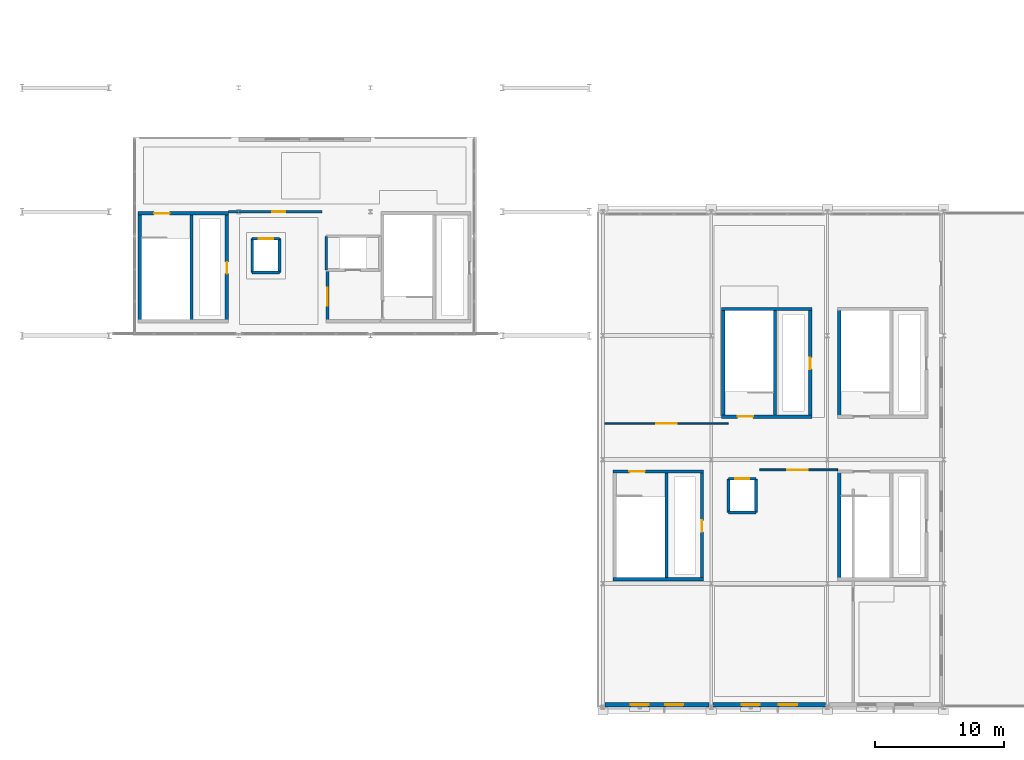
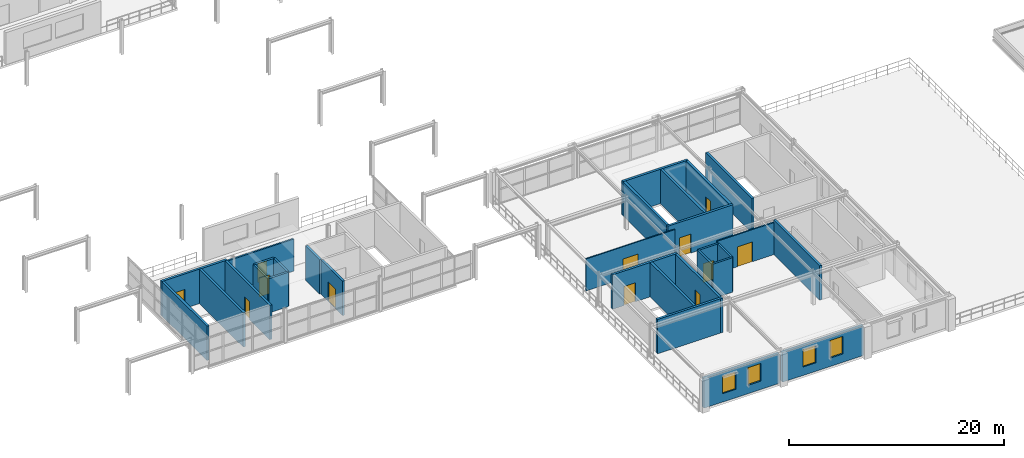
# One storey, part 34 of 52: 30 walls, 12 doors, 4 windows, 16 openings.
"""IFC4 building model written with IfcOpenShell, lengths in metres."""

from ifc_helpers import new_model, si_unit, direction, frame, frame_2d, origin, place, context, subcontext, project, spatial, rectangle, extrude, material, layer, layer_set, type_object, element, fill, save


model = new_model("IFC4")

# Units and contexts
model_context = context("Model", 3, precision=1e-05, world=origin(), true_north=direction((0.0, 1.0)))
body_context = subcontext(model_context, "Body", "Model", "MODEL_VIEW")
ifc_project = project(units=[si_unit("LENGTHUNIT", "METRE"), si_unit("AREAUNIT", "SQUARE_METRE"), si_unit("VOLUMEUNIT", "CUBIC_METRE"), si_unit("PLANEANGLEUNIT", "RADIAN"), si_unit("MASSUNIT", "GRAM", prefix="KILO")], contexts=[model_context])

# Site, building, storey
site_placement = place(None, origin())
site = spatial("IfcSite", under=ifc_project, at=site_placement, CompositionType="ELEMENT")
building_placement = place(site_placement, origin())
building = spatial("IfcBuilding", under=site, at=building_placement, Name="Myrtia Square Station", CompositionType="ELEMENT")
storey_placement = place(building_placement, frame((0.0, 0.0, 15.0)))
storey = spatial("IfcBuildingStorey", under=building, at=storey_placement, Name="L03", CompositionType="ELEMENT", Elevation=15.0)

# Wall, opening, door
ifc_material_1 = material(Name="Concrete C35/45", Category="concrete")
ifc_layer_1 = layer(ifc_material_1, 0.25, Name="Concrete C35/45")
ifc_layer_set_1 = layer_set([ifc_layer_1], Name="Concrete C35/45")
wall_type_1 = type_object("IfcWallType", Name="WL-CORE-250", PredefinedType="SHEAR", material=ifc_layer_set_1)
wall_1_placement = place(storey_placement, frame((81.60009765625, 38.27490234375, 0.0), z_axis=(0.0, 0.0, 1.0), x_axis=(1.0, 0.0, 0.0)))
wall_1 = element("IfcWall", 1, at=wall_1_placement, inside=storey, type_object=wall_type_1, Name="Core K1 shear wall L03 N", PredefinedType="SHEAR", context=body_context, shape_type="SweptSolid", body=[
    extrude(rectangle(XDim=7.0, YDim=0.25, at=frame_2d((3.5, 0.0))), origin(), (0.0, 0.0, 1.0), 3.89990234375),
])
opening_1_placement = place(wall_1_placement, frame((1.25, 0.0, 0.0)))
opening_1 = element("IfcOpeningElement", 2, at=opening_1_placement, cuts=wall_1, Name="Opening SD-009", PredefinedType="OPENING", context=body_context, shape_type="SweptSolid", body=[
    extrude(rectangle(XDim=1.199951171875, YDim=2.14990234375, at=frame_2d((0.60009765625, 1.074951171875))), frame((0.0, 0.139892578125, 0.0), z_axis=(0.0, -1.0, 0.0), x_axis=(1.0, 0.0, 0.0)), (0.0, 0.0, 1.0), 0.280029296875),
])
ifc_material_2 = material(Name="Dark bronze anodised aluminium", Category="aluminium")
door_type_1 = type_object("IfcDoorType", Name="DR-STAIR-1200x2150", OperationType="NOTDEFINED", PredefinedType="DOOR", material=ifc_material_2)
door_1_placement = place(opening_1_placement, frame((1.199951171875, 0.0, 0.0), z_axis=(0.0, 0.0, 1.0), x_axis=(-1.0, 0.0, 0.0)))
door_1 = element("IfcDoor", 3, at=door_1_placement, inside=storey, type_object=door_type_1, Name="Protected stair fire door K1 L03", OperationType="SINGLE_SWING_LEFT", OverallHeight=2.14990234375, OverallWidth=1.199951171875, PredefinedType="DOOR", context=body_context, shape_type="SweptSolid", body=[
    extrude(rectangle(XDim=1.199951171875, YDim=2.14990234375, at=frame_2d((0.60009765625, 1.074951171875))), frame((0.0, 0.02490234375, 0.0), z_axis=(0.0, -1.0, 0.0), x_axis=(1.0, 0.0, 0.0)), (0.0, 0.0, 1.0), 0.050048828125),
])
fill(opening_1, door_1)

# Wall
wall_2_placement = place(storey_placement, frame((81.72509765625, 29.800048828125, 0.0), z_axis=(0.0, 0.0, 1.0), x_axis=(0.0, 1.0, 0.0)))
element("IfcWall", 4, at=wall_2_placement, inside=storey, type_object=wall_type_1, Name="Core K1 shear wall L03 W", PredefinedType="SHEAR", context=body_context, shape_type="SweptSolid", body=[
    extrude(rectangle(XDim=8.599853515625, YDim=0.25, at=frame_2d((4.2998046875, 0.0))), origin(), (0.0, 0.0, 1.0), 3.89990234375),
])

# Wall, opening, door
wall_3_placement = place(storey_placement, frame((88.47509765625, 29.800048828125, 0.0), z_axis=(0.0, 0.0, 1.0), x_axis=(0.0, 1.0, 0.0)))
wall_3 = element("IfcWall", 5, at=wall_3_placement, inside=storey, type_object=wall_type_1, Name="Core K1 shear wall L03 E", PredefinedType="SHEAR", context=body_context, shape_type="SweptSolid", body=[
    extrude(rectangle(XDim=8.599853515625, YDim=0.25, at=frame_2d((4.2998046875, 0.0))), origin(), (0.0, 0.0, 1.0), 3.89990234375),
])
opening_2_placement = place(wall_3_placement, frame((3.800048828125, 0.0, 0.0)))
opening_2 = element("IfcOpeningElement", 6, at=opening_2_placement, cuts=wall_3, Name="Opening RD-010", PredefinedType="OPENING", context=body_context, shape_type="SweptSolid", body=[
    extrude(rectangle(XDim=0.89990234375, YDim=2.050048828125, at=frame_2d((0.449951171875, 1.02490234375))), frame((0.0, 0.139892578125, 0.0), z_axis=(0.0, -1.0, 0.0), x_axis=(1.0, 0.0, 0.0)), (0.0, 0.0, 1.0), 0.280029296875),
])
door_type_2 = type_object("IfcDoorType", Name="DR-RISER-900x2050", OperationType="NOTDEFINED", PredefinedType="DOOR", material=ifc_material_2)
door_2_placement = place(opening_2_placement, origin())
door_2 = element("IfcDoor", 7, at=door_2_placement, inside=storey, type_object=door_type_2, Name="Riser cupboard access door K1 L03", OperationType="SINGLE_SWING_RIGHT", OverallHeight=2.050048828125, OverallWidth=0.89990234375, PredefinedType="DOOR", context=body_context, shape_type="SweptSolid", body=[
    extrude(rectangle(XDim=0.89990234375, YDim=2.050048828125, at=frame_2d((0.449951171875, 1.02490234375))), frame((0.0, 0.02490234375, 0.0), z_axis=(0.0, -1.0, 0.0), x_axis=(1.0, 0.0, 0.0)), (0.0, 0.0, 1.0), 0.050048828125),
])
fill(opening_2, door_2)

# Walls
wall_4_placement = place(storey_placement, frame((85.739990234375, 30.0, 0.0), z_axis=(0.0, 0.0, 1.0), x_axis=(0.0, 1.0, 0.0)))
element("IfcWall", 8, at=wall_4_placement, inside=storey, type_object=wall_type_1, Name="Core K1 shear wall L03 D", PredefinedType="SHEAR", context=body_context, shape_type="SweptSolid", body=[
    extrude(rectangle(XDim=8.199951171875, YDim=0.25, at=frame_2d((4.10009765625, 0.0))), origin(), (0.0, 0.0, 1.0), 3.89990234375),
])
wall_5_placement = place(storey_placement, frame((118.39990234375, 9.925048828125, 0.0), z_axis=(0.0, 0.0, 1.0), x_axis=(1.0, 0.0, 0.0)))
element("IfcWall", 9, at=wall_5_placement, inside=storey, type_object=wall_type_1, Name="Core K5 shear wall L03 S", PredefinedType="SHEAR", context=body_context, shape_type="SweptSolid", body=[
    extrude(rectangle(XDim=7.0, YDim=0.25, at=frame_2d((3.5, 0.0))), origin(), (0.0, 0.0, 1.0), 3.89990234375),
])

# Wall, opening, door
wall_6_placement = place(storey_placement, frame((118.39990234375, 18.27490234375, 0.0), z_axis=(0.0, 0.0, 1.0), x_axis=(1.0, 0.0, 0.0)))
wall_6 = element("IfcWall", 10, at=wall_6_placement, inside=storey, type_object=wall_type_1, Name="Core K5 shear wall L03 N", PredefinedType="SHEAR", context=body_context, shape_type="SweptSolid", body=[
    extrude(rectangle(XDim=7.0, YDim=0.25, at=frame_2d((3.5, 0.0))), origin(), (0.0, 0.0, 1.0), 3.89990234375),
])
opening_3_placement = place(wall_6_placement, frame((1.25, 0.0, 0.0)))
opening_3 = element("IfcOpeningElement", 11, at=opening_3_placement, cuts=wall_6, Name="Opening SD-059", PredefinedType="OPENING", context=body_context, shape_type="SweptSolid", body=[
    extrude(rectangle(XDim=1.199951171875, YDim=2.14990234375, at=frame_2d((0.60009765625, 1.074951171875))), frame((0.0, 0.139892578125, 0.0), z_axis=(0.0, -1.0, 0.0), x_axis=(1.0, 0.0, 0.0)), (0.0, 0.0, 1.0), 0.280029296875),
])
door_3_placement = place(opening_3_placement, frame((1.199951171875, 0.0, 0.0), z_axis=(0.0, 0.0, 1.0), x_axis=(-1.0, 0.0, 0.0)))
door_3 = element("IfcDoor", 12, at=door_3_placement, inside=storey, type_object=door_type_1, Name="Protected stair fire door K5 L03", OperationType="SINGLE_SWING_LEFT", OverallHeight=2.14990234375, OverallWidth=1.199951171875, PredefinedType="DOOR", context=body_context, shape_type="SweptSolid", body=[
    extrude(rectangle(XDim=1.199951171875, YDim=2.14990234375, at=frame_2d((0.60009765625, 1.074951171875))), frame((0.0, 0.02490234375, 0.0), z_axis=(0.0, -1.0, 0.0), x_axis=(1.0, 0.0, 0.0)), (0.0, 0.0, 1.0), 0.050048828125),
])
fill(opening_3, door_3)

wall_7_placement = place(storey_placement, frame((125.27490234375, 9.800048828125, 0.0), z_axis=(0.0, 0.0, 1.0), x_axis=(0.0, 1.0, 0.0)))
wall_7 = element("IfcWall", 13, at=wall_7_placement, inside=storey, type_object=wall_type_1, Name="Core K5 shear wall L03 E", PredefinedType="SHEAR", context=body_context, shape_type="SweptSolid", body=[
    extrude(rectangle(XDim=8.599853515625, YDim=0.25, at=frame_2d((4.2998046875, 0.0))), origin(), (0.0, 0.0, 1.0), 3.89990234375),
])
opening_4_placement = place(wall_7_placement, frame((3.800048828125, 0.0, 0.0)))
opening_4 = element("IfcOpeningElement", 14, at=opening_4_placement, cuts=wall_7, Name="Opening RD-060", PredefinedType="OPENING", context=body_context, shape_type="SweptSolid", body=[
    extrude(rectangle(XDim=0.89990234375, YDim=2.050048828125, at=frame_2d((0.449951171875, 1.02490234375))), frame((0.0, 0.139892578125, 0.0), z_axis=(0.0, -1.0, 0.0), x_axis=(1.0, 0.0, 0.0)), (0.0, 0.0, 1.0), 0.280029296875),
])
door_4_placement = place(opening_4_placement, origin())
door_4 = element("IfcDoor", 15, at=door_4_placement, inside=storey, type_object=door_type_2, Name="Riser cupboard access door K5 L03", OperationType="SINGLE_SWING_RIGHT", OverallHeight=2.050048828125, OverallWidth=0.89990234375, PredefinedType="DOOR", context=body_context, shape_type="SweptSolid", body=[
    extrude(rectangle(XDim=0.89990234375, YDim=2.050048828125, at=frame_2d((0.449951171875, 1.02490234375))), frame((0.0, 0.02490234375, 0.0), z_axis=(0.0, -1.0, 0.0), x_axis=(1.0, 0.0, 0.0)), (0.0, 0.0, 1.0), 0.050048828125),
])
fill(opening_4, door_4)

# Walls
wall_8_placement = place(storey_placement, frame((122.5400390625, 10.0, 0.0), z_axis=(0.0, 0.0, 1.0), x_axis=(0.0, 1.0, 0.0)))
element("IfcWall", 16, at=wall_8_placement, inside=storey, type_object=wall_type_1, Name="Core K5 shear wall L03 D", PredefinedType="SHEAR", context=body_context, shape_type="SweptSolid", body=[
    extrude(rectangle(XDim=8.199951171875, YDim=0.25, at=frame_2d((4.10009765625, 0.0))), origin(), (0.0, 0.0, 1.0), 3.89990234375),
])
wall_9_placement = place(storey_placement, frame((135.925048828125, 9.800048828125, 0.0), z_axis=(0.0, 0.0, 1.0), x_axis=(0.0, 1.0, 0.0)))
element("IfcWall", 17, at=wall_9_placement, inside=storey, type_object=wall_type_1, Name="Core K6 shear wall L03 W", PredefinedType="SHEAR", context=body_context, shape_type="SweptSolid", body=[
    extrude(rectangle(XDim=8.599853515625, YDim=0.25, at=frame_2d((4.2998046875, 0.0))), origin(), (0.0, 0.0, 1.0), 3.89990234375),
])
wall_10_placement = place(storey_placement, frame((135.925048828125, 22.39990234375, 0.0), z_axis=(0.0, 0.0, 1.0), x_axis=(0.0, 1.0, 0.0)))
element("IfcWall", 18, at=wall_10_placement, inside=storey, type_object=wall_type_1, Name="Core K9 shear wall L03 W", PredefinedType="SHEAR", context=body_context, shape_type="SweptSolid", body=[
    extrude(rectangle(XDim=8.60009765625, YDim=0.25, at=frame_2d((4.300048828125, 0.0))), origin(), (0.0, 0.0, 1.0), 3.89990234375),
])

# Wall, opening, door
wall_11_placement = place(storey_placement, frame((126.800048828125, 22.52490234375, 0.0), z_axis=(0.0, 0.0, 1.0), x_axis=(1.0, 0.0, 0.0)))
wall_11 = element("IfcWall", 19, at=wall_11_placement, inside=storey, type_object=wall_type_1, Name="Core K10 shear wall L03 S", PredefinedType="SHEAR", context=body_context, shape_type="SweptSolid", body=[
    extrude(rectangle(XDim=7.0, YDim=0.25, at=frame_2d((3.5, 0.0))), origin(), (0.0, 0.0, 1.0), 3.89990234375),
])
opening_5_placement = place(wall_11_placement, frame((1.25, 0.0, 0.0)))
opening_5 = element("IfcOpeningElement", 20, at=opening_5_placement, cuts=wall_11, Name="Opening SD-089", PredefinedType="OPENING", context=body_context, shape_type="SweptSolid", body=[
    extrude(rectangle(XDim=1.199951171875, YDim=2.14990234375, at=frame_2d((0.60009765625, 1.074951171875))), frame((0.0, 0.139892578125, 0.0), z_axis=(0.0, -1.0, 0.0), x_axis=(1.0, 0.0, 0.0)), (0.0, 0.0, 1.0), 0.280029296875),
])
door_5_placement = place(opening_5_placement, origin())
door_5 = element("IfcDoor", 21, at=door_5_placement, inside=storey, type_object=door_type_1, Name="Protected stair fire door K10 L03", OperationType="SINGLE_SWING_LEFT", OverallHeight=2.14990234375, OverallWidth=1.199951171875, PredefinedType="DOOR", context=body_context, shape_type="SweptSolid", body=[
    extrude(rectangle(XDim=1.199951171875, YDim=2.14990234375, at=frame_2d((0.60009765625, 1.074951171875))), frame((0.0, 0.02490234375, 0.0), z_axis=(0.0, -1.0, 0.0), x_axis=(1.0, 0.0, 0.0)), (0.0, 0.0, 1.0), 0.050048828125),
])
fill(opening_5, door_5)

# Walls
wall_12_placement = place(storey_placement, frame((126.800048828125, 30.875, 0.0), z_axis=(0.0, 0.0, 1.0), x_axis=(1.0, 0.0, 0.0)))
element("IfcWall", 22, at=wall_12_placement, inside=storey, type_object=wall_type_1, Name="Core K10 shear wall L03 N", PredefinedType="SHEAR", context=body_context, shape_type="SweptSolid", body=[
    extrude(rectangle(XDim=7.0, YDim=0.25, at=frame_2d((3.5, 0.0))), origin(), (0.0, 0.0, 1.0), 3.89990234375),
])
wall_13_placement = place(storey_placement, frame((126.925048828125, 22.39990234375, 0.0), z_axis=(0.0, 0.0, 1.0), x_axis=(0.0, 1.0, 0.0)))
element("IfcWall", 23, at=wall_13_placement, inside=storey, type_object=wall_type_1, Name="Core K10 shear wall L03 W", PredefinedType="SHEAR", context=body_context, shape_type="SweptSolid", body=[
    extrude(rectangle(XDim=8.60009765625, YDim=0.25, at=frame_2d((4.300048828125, 0.0))), origin(), (0.0, 0.0, 1.0), 3.89990234375),
])

# Wall, opening, door
wall_14_placement = place(storey_placement, frame((133.675048828125, 22.39990234375, 0.0), z_axis=(0.0, 0.0, 1.0), x_axis=(0.0, 1.0, 0.0)))
wall_14 = element("IfcWall", 24, at=wall_14_placement, inside=storey, type_object=wall_type_1, Name="Core K10 shear wall L03 E", PredefinedType="SHEAR", context=body_context, shape_type="SweptSolid", body=[
    extrude(rectangle(XDim=8.60009765625, YDim=0.25, at=frame_2d((4.300048828125, 0.0))), origin(), (0.0, 0.0, 1.0), 3.89990234375),
])
opening_6_placement = place(wall_14_placement, frame((3.800048828125, 0.0, 0.0)))
opening_6 = element("IfcOpeningElement", 25, at=opening_6_placement, cuts=wall_14, Name="Opening RD-090", PredefinedType="OPENING", context=body_context, shape_type="SweptSolid", body=[
    extrude(rectangle(XDim=0.89990234375, YDim=2.050048828125, at=frame_2d((0.449951171875, 1.02490234375))), frame((0.0, 0.139892578125, 0.0), z_axis=(0.0, -1.0, 0.0), x_axis=(1.0, 0.0, 0.0)), (0.0, 0.0, 1.0), 0.280029296875),
])
door_6_placement = place(opening_6_placement, origin())
door_6 = element("IfcDoor", 26, at=door_6_placement, inside=storey, type_object=door_type_2, Name="Riser cupboard access door K10 L03", OperationType="SINGLE_SWING_RIGHT", OverallHeight=2.050048828125, OverallWidth=0.89990234375, PredefinedType="DOOR", context=body_context, shape_type="SweptSolid", body=[
    extrude(rectangle(XDim=0.89990234375, YDim=2.050048828125, at=frame_2d((0.449951171875, 1.02490234375))), frame((0.0, 0.02490234375, 0.0), z_axis=(0.0, -1.0, 0.0), x_axis=(1.0, 0.0, 0.0)), (0.0, 0.0, 1.0), 0.050048828125),
])
fill(opening_6, door_6)

# Wall
wall_15_placement = place(storey_placement, frame((130.93994140625, 22.60009765625, 0.0), z_axis=(0.0, 0.0, 1.0), x_axis=(0.0, 1.0, 0.0)))
element("IfcWall", 27, at=wall_15_placement, inside=storey, type_object=wall_type_1, Name="Core K10 shear wall L03 D", PredefinedType="SHEAR", context=body_context, shape_type="SweptSolid", body=[
    extrude(rectangle(XDim=8.199951171875, YDim=0.25, at=frame_2d((4.10009765625, 0.0))), origin(), (0.0, 0.0, 1.0), 3.89990234375),
])

# Wall, openings, windows
ifc_material_3 = material(Name="Cream lime stucco on clay brick masonry", Category="masonry")
ifc_layer_2 = layer(ifc_material_3, 0.360107421875, Name="Cream lime stucco on clay brick masonry")
ifc_layer_set_2 = layer_set([ifc_layer_2], Name="Cream lime stucco on clay brick masonry")
wall_type_2 = type_object("IfcWallType", Name="WL-EXT-STUCCO-360", PredefinedType="SOLIDWALL", material=ifc_layer_set_2)
wall_16_placement = place(storey_placement, frame((117.7548828125, 0.199951171875, 0.0), z_axis=(0.0, 0.0, 1.0), x_axis=(1.0, 0.0, 0.0)))
wall_16 = element("IfcWall", 28, at=wall_16_placement, inside=storey, type_object=wall_type_2, Name="Exterior envelope wall EW-L03-0059", PredefinedType="SOLIDWALL", context=body_context, shape_type="SweptSolid", body=[
    extrude(rectangle(XDim=8.090087890625, YDim=0.360107421875, at=frame_2d((4.044921875, 0.0))), origin(), (0.0, 0.0, 1.0), 3.35498046875),
])
opening_7_placement = place(wall_16_placement, frame((1.9970703125, 0.0, 0.949951171875)))
opening_7 = element("IfcOpeningElement", 29, at=opening_7_placement, cuts=wall_16, Name="Opening WN-059", PredefinedType="OPENING", context=body_context, shape_type="SweptSolid", body=[
    extrude(rectangle(XDim=1.39990234375, YDim=2.0, at=frame_2d((0.699951171875, 1.0))), frame((0.0, 0.195068359375, 0.0), z_axis=(0.0, -1.0, 0.0), x_axis=(1.0, 0.0, 0.0)), (0.0, 0.0, 1.0), 0.39013671875),
])
opening_8_placement = place(wall_16_placement, frame((4.693115234375, 0.0, 0.949951171875)))
opening_8 = element("IfcOpeningElement", 30, at=opening_8_placement, cuts=wall_16, Name="Opening WN-060", PredefinedType="OPENING", context=body_context, shape_type="SweptSolid", body=[
    extrude(rectangle(XDim=1.39990234375, YDim=2.0, at=frame_2d((0.699951171875, 1.0))), frame((0.0, 0.195068359375, 0.0), z_axis=(0.0, -1.0, 0.0), x_axis=(1.0, 0.0, 0.0)), (0.0, 0.0, 1.0), 0.39013671875),
])
ifc_material_4 = material(Name="Tinted low-E solar control glass", Category="glass")
window_type = type_object("IfcWindowType", Name="WN-LOG-1400x2000", PartitioningType="SINGLE_PANEL", PredefinedType="WINDOW", material=ifc_material_4)
window_1_placement = place(opening_7_placement, origin())
window_1 = element("IfcWindow", 31, at=window_1_placement, inside=storey, type_object=window_type, Name="Window WN-059", OverallHeight=2.0, OverallWidth=1.39990234375, PartitioningType="SINGLE_PANEL", PredefinedType="WINDOW", context=body_context, shape_type="SweptSolid", body=[
    extrude(rectangle(XDim=1.39990234375, YDim=2.0, at=frame_2d((0.699951171875, 1.0))), frame((0.0, 0.030029296875, 0.0), z_axis=(0.0, -1.0, 0.0), x_axis=(1.0, 0.0, 0.0)), (0.0, 0.0, 1.0), 0.06005859375),
])
fill(opening_7, window_1)
window_2_placement = place(opening_8_placement, origin())
window_2 = element("IfcWindow", 32, at=window_2_placement, inside=storey, type_object=window_type, Name="Window WN-060", OverallHeight=2.0, OverallWidth=1.39990234375, PartitioningType="SINGLE_PANEL", PredefinedType="WINDOW", context=body_context, shape_type="SweptSolid", body=[
    extrude(rectangle(XDim=1.39990234375, YDim=2.0, at=frame_2d((0.699951171875, 1.0))), frame((0.0, 0.030029296875, 0.0), z_axis=(0.0, -1.0, 0.0), x_axis=(1.0, 0.0, 0.0)), (0.0, 0.0, 1.0), 0.06005859375),
])
fill(opening_8, window_2)

wall_17_placement = place(storey_placement, frame((126.155029296875, 0.199951171875, 0.0), z_axis=(0.0, 0.0, 1.0), x_axis=(1.0, 0.0, 0.0)))
wall_17 = element("IfcWall", 33, at=wall_17_placement, inside=storey, type_object=wall_type_2, Name="Exterior envelope wall EW-L03-0060", PredefinedType="SOLIDWALL", context=body_context, shape_type="SweptSolid", body=[
    extrude(rectangle(XDim=8.68994140625, YDim=0.360107421875, at=frame_2d((4.344970703125, 0.0))), origin(), (0.0, 0.0, 1.0), 3.35498046875),
])
opening_9_placement = place(wall_17_placement, frame((2.197021484375, 0.0, 0.949951171875)))
opening_9 = element("IfcOpeningElement", 34, at=opening_9_placement, cuts=wall_17, Name="Opening WN-061", PredefinedType="OPENING", context=body_context, shape_type="SweptSolid", body=[
    extrude(rectangle(XDim=1.39990234375, YDim=2.0, at=frame_2d((0.699951171875, 1.0))), frame((0.0, 0.195068359375, 0.0), z_axis=(0.0, -1.0, 0.0), x_axis=(1.0, 0.0, 0.0)), (0.0, 0.0, 1.0), 0.39013671875),
])
opening_10_placement = place(wall_17_placement, frame((5.093017578125, 0.0, 0.949951171875)))
opening_10 = element("IfcOpeningElement", 35, at=opening_10_placement, cuts=wall_17, Name="Opening WN-062", PredefinedType="OPENING", context=body_context, shape_type="SweptSolid", body=[
    extrude(rectangle(XDim=1.39990234375, YDim=2.0, at=frame_2d((0.699951171875, 1.0))), frame((0.0, 0.195068359375, 0.0), z_axis=(0.0, -1.0, 0.0), x_axis=(1.0, 0.0, 0.0)), (0.0, 0.0, 1.0), 0.39013671875),
])
window_3_placement = place(opening_9_placement, origin())
window_3 = element("IfcWindow", 36, at=window_3_placement, inside=storey, type_object=window_type, Name="Window WN-061", OverallHeight=2.0, OverallWidth=1.39990234375, PartitioningType="SINGLE_PANEL", PredefinedType="WINDOW", context=body_context, shape_type="SweptSolid", body=[
    extrude(rectangle(XDim=1.39990234375, YDim=2.0, at=frame_2d((0.699951171875, 1.0))), frame((0.0, 0.030029296875, 0.0), z_axis=(0.0, -1.0, 0.0), x_axis=(1.0, 0.0, 0.0)), (0.0, 0.0, 1.0), 0.06005859375),
])
fill(opening_9, window_3)
window_4_placement = place(opening_10_placement, origin())
window_4 = element("IfcWindow", 37, at=window_4_placement, inside=storey, type_object=window_type, Name="Window WN-062", OverallHeight=2.0, OverallWidth=1.39990234375, PartitioningType="SINGLE_PANEL", PredefinedType="WINDOW", context=body_context, shape_type="SweptSolid", body=[
    extrude(rectangle(XDim=1.39990234375, YDim=2.0, at=frame_2d((0.699951171875, 1.0))), frame((0.0, 0.030029296875, 0.0), z_axis=(0.0, -1.0, 0.0), x_axis=(1.0, 0.0, 0.0)), (0.0, 0.0, 1.0), 0.06005859375),
])
fill(opening_10, window_4)

# Wall, opening, door
ifc_layer_3 = layer(ifc_material_1, 0.239990234375, Name="Concrete C35/45")
ifc_layer_set_3 = layer_set([ifc_layer_3], Name="Concrete C35/45")
wall_type_3 = type_object("IfcWallType", Name="WL-FFL-240", PredefinedType="SHEAR", material=ifc_layer_set_3)
wall_18_placement = place(storey_placement, frame((96.27001953125, 29.800048828125, 0.0), z_axis=(0.0, 0.0, 1.0), x_axis=(0.0, 1.0, 0.0)))
wall_18 = element("IfcWall", 38, at=wall_18_placement, inside=storey, type_object=wall_type_3, Name="Firefighting lift lobby EI 120 wall K3 L03 W", PredefinedType="SHEAR", context=body_context, shape_type="SweptSolid", body=[
    extrude(rectangle(XDim=4.0, YDim=0.239990234375, at=frame_2d((2.0, 0.0))), origin(), (0.0, 0.0, 1.0), 3.89990234375),
])
opening_11_placement = place(wall_18_placement, frame((1.300048828125, 0.0, 0.0)))
opening_11 = element("IfcOpeningElement", 39, at=opening_11_placement, cuts=wall_18, Name="Opening FD-035", PredefinedType="OPENING", context=body_context, shape_type="SweptSolid", body=[
    extrude(rectangle(XDim=1.39990234375, YDim=2.199951171875, at=frame_2d((0.699951171875, 1.10009765625))), frame((0.0, 0.135009765625, 0.0), z_axis=(0.0, -1.0, 0.0), x_axis=(1.0, 0.0, 0.0)), (0.0, 0.0, 1.0), 0.27001953125),
])
door_type_3 = type_object("IfcDoorType", Name="DR-FFL-1400x2200", OperationType="NOTDEFINED", PredefinedType="DOOR", material=ifc_material_2)
door_7_placement = place(opening_11_placement, origin())
door_7 = element("IfcDoor", 40, at=door_7_placement, inside=storey, type_object=door_type_3, Name="Firefighting lobby fire door K3 L03", OperationType="SINGLE_SWING_LEFT", OverallHeight=2.199951171875, OverallWidth=1.39990234375, PredefinedType="DOOR", context=body_context, shape_type="SweptSolid", body=[
    extrude(rectangle(XDim=1.39990234375, YDim=2.199951171875, at=frame_2d((0.699951171875, 1.10009765625))), frame((0.0, 0.02490234375, 0.0), z_axis=(0.0, -1.0, 0.0), x_axis=(1.0, 0.0, 0.0)), (0.0, 0.0, 1.0), 0.050048828125),
])
fill(opening_11, door_7)

# Wall
ifc_layer_4 = layer(ifc_material_1, 0.219970703125, Name="Concrete C35/45")
ifc_layer_set_4 = layer_set([ifc_layer_4], Name="Concrete C35/45")
wall_type_4 = type_object("IfcWallType", Name="WL-LIFT-220", PredefinedType="SHEAR", material=ifc_layer_set_4)
wall_19_placement = place(storey_placement, frame((90.43994140625, 33.68994140625, 0.0), z_axis=(0.0, 0.0, 1.0), x_axis=(1.0, 0.0, 0.0)))
element("IfcWall", 41, at=wall_19_placement, inside=storey, type_object=wall_type_4, Name="Lift shaft wall PL-05 L03 -Y", PredefinedType="SHEAR", context=body_context, shape_type="SweptSolid", body=[
    extrude(rectangle(XDim=2.1201171875, YDim=0.219970703125, at=frame_2d((1.06005859375, 0.0))), origin(), (0.0, 0.0, 1.0), 3.89990234375),
])

# Wall, opening, door
wall_20_placement = place(storey_placement, frame((90.43994140625, 36.31005859375, 0.0), z_axis=(0.0, 0.0, 1.0), x_axis=(1.0, 0.0, 0.0)))
wall_20 = element("IfcWall", 42, at=wall_20_placement, inside=storey, type_object=wall_type_4, Name="Lift shaft wall PL-05 L03 +Y", PredefinedType="SHEAR", context=body_context, shape_type="SweptSolid", body=[
    extrude(rectangle(XDim=2.1201171875, YDim=0.219970703125, at=frame_2d((1.06005859375, 0.0))), origin(), (0.0, 0.0, 1.0), 3.89990234375),
])
opening_12_placement = place(wall_20_placement, frame((0.510009765625, 0.0, 0.0)))
opening_12 = element("IfcOpeningElement", 43, at=opening_12_placement, cuts=wall_20, Name="Opening LD-PL-05", PredefinedType="OPENING", context=body_context, shape_type="SweptSolid", body=[
    extrude(rectangle(XDim=1.10009765625, YDim=2.14990234375, at=frame_2d((0.550048828125, 1.074951171875))), frame((0.0, 0.125, 0.0), z_axis=(0.0, -1.0, 0.0), x_axis=(1.0, 0.0, 0.0)), (0.0, 0.0, 1.0), 0.25),
])
door_type_4 = type_object("IfcDoorType", Name="DR-LIFT-1100x2150", OperationType="NOTDEFINED", PredefinedType="DOOR", material=ifc_material_2)
door_8_placement = place(opening_12_placement, origin())
door_8 = element("IfcDoor", 44, at=door_8_placement, inside=storey, type_object=door_type_4, Name="Lift landing door PL-05 L03", OperationType="SLIDING_TO_LEFT", OverallHeight=2.14990234375, OverallWidth=1.10009765625, PredefinedType="DOOR", context=body_context, shape_type="SweptSolid", body=[
    extrude(rectangle(XDim=1.10009765625, YDim=2.14990234375, at=frame_2d((0.550048828125, 1.074951171875))), frame((0.0, 0.02490234375, 0.0), z_axis=(0.0, -1.0, 0.0), x_axis=(1.0, 0.0, 0.0)), (0.0, 0.0, 1.0), 0.050048828125),
])
fill(opening_12, door_8)

# Walls
for number, where, z_axis, x_axis, name in (
    (45, (90.43994140625, 33.68994140625, 0.0), (0.0, 0.0, 1.0), (0.0, 1.0, 0.0), "Lift shaft wall PL-05 L03 -X"),
    (46, (92.56005859375, 33.68994140625, 0.0), (0.0, 0.0, 1.0), (0.0, 1.0, 0.0), "Lift shaft wall PL-05 L03 +X"),
):
    element("IfcWall", number, at=place(storey_placement, frame(where, z_axis=z_axis, x_axis=x_axis)), inside=storey, type_object=wall_type_4, Name=name, PredefinedType="SHEAR", context=body_context, shape_type="SweptSolid", body=[
        extrude(rectangle(XDim=2.6201171875, YDim=0.219970703125, at=frame_2d((1.31005859375, 0.0))), origin(), (0.0, 0.0, 1.0), 3.89990234375),
    ])
wall_21_placement = place(storey_placement, frame((127.340087890625, 15.090087890625, 0.0), z_axis=(0.0, 0.0, 1.0), x_axis=(1.0, 0.0, 0.0)))
element("IfcWall", 47, at=wall_21_placement, inside=storey, type_object=wall_type_4, Name="Lift shaft wall PL-07 L03 -Y", PredefinedType="SHEAR", context=body_context, shape_type="SweptSolid", body=[
    extrude(rectangle(XDim=2.119873046875, YDim=0.219970703125, at=frame_2d((1.06005859375, 0.0))), origin(), (0.0, 0.0, 1.0), 3.89990234375),
])

# Wall, opening, door
wall_22_placement = place(storey_placement, frame((127.340087890625, 17.7099609375, 0.0), z_axis=(0.0, 0.0, 1.0), x_axis=(1.0, 0.0, 0.0)))
wall_22 = element("IfcWall", 48, at=wall_22_placement, inside=storey, type_object=wall_type_4, Name="Lift shaft wall PL-07 L03 +Y", PredefinedType="SHEAR", context=body_context, shape_type="SweptSolid", body=[
    extrude(rectangle(XDim=2.119873046875, YDim=0.219970703125, at=frame_2d((1.06005859375, 0.0))), origin(), (0.0, 0.0, 1.0), 3.89990234375),
])
opening_13_placement = place(wall_22_placement, frame((0.510009765625, 0.0, 0.0)))
opening_13 = element("IfcOpeningElement", 49, at=opening_13_placement, cuts=wall_22, Name="Opening LD-PL-07", PredefinedType="OPENING", context=body_context, shape_type="SweptSolid", body=[
    extrude(rectangle(XDim=1.10009765625, YDim=2.14990234375, at=frame_2d((0.550048828125, 1.074951171875))), frame((0.0, 0.125, 0.0), z_axis=(0.0, -1.0, 0.0), x_axis=(1.0, 0.0, 0.0)), (0.0, 0.0, 1.0), 0.25),
])
door_9_placement = place(opening_13_placement, origin())
door_9 = element("IfcDoor", 50, at=door_9_placement, inside=storey, type_object=door_type_4, Name="Lift landing door PL-07 L03", OperationType="SLIDING_TO_LEFT", OverallHeight=2.14990234375, OverallWidth=1.10009765625, PredefinedType="DOOR", context=body_context, shape_type="SweptSolid", body=[
    extrude(rectangle(XDim=1.10009765625, YDim=2.14990234375, at=frame_2d((0.550048828125, 1.074951171875))), frame((0.0, 0.02490234375, 0.0), z_axis=(0.0, -1.0, 0.0), x_axis=(1.0, 0.0, 0.0)), (0.0, 0.0, 1.0), 0.050048828125),
])
fill(opening_13, door_9)

# Walls
for number, where, z_axis, x_axis, name in (
    (51, (127.340087890625, 15.090087890625, 0.0), (0.0, 0.0, 1.0), (0.0, 1.0, 0.0), "Lift shaft wall PL-07 L03 -X"),
    (52, (129.4599609375, 15.090087890625, 0.0), (0.0, 0.0, 1.0), (0.0, 1.0, 0.0), "Lift shaft wall PL-07 L03 +X"),
):
    element("IfcWall", number, at=place(storey_placement, frame(where, z_axis=z_axis, x_axis=x_axis)), inside=storey, type_object=wall_type_4, Name=name, PredefinedType="SHEAR", context=body_context, shape_type="SweptSolid", body=[
        extrude(rectangle(XDim=2.619873046875, YDim=0.219970703125, at=frame_2d((1.31005859375, 0.0))), origin(), (0.0, 0.0, 1.0), 3.89990234375),
    ])
wall_23_placement = place(storey_placement, frame((96.169921875, 33.8798828125, 0.0), z_axis=(0.0, 0.0, 1.0), x_axis=(0.0, 1.0, 0.0)))
element("IfcWall", 53, at=wall_23_placement, inside=storey, type_object=wall_type_4, Name="Lift shaft wall FFL-01 L03 -X", PredefinedType="SHEAR", context=body_context, shape_type="SweptSolid", body=[
    extrude(rectangle(XDim=2.6201171875, YDim=0.219970703125, at=frame_2d((1.31005859375, 0.0))), origin(), (0.0, 0.0, 1.0), 3.89990234375),
])

# Wall, opening, door
ifc_material_5 = material(Name="Gypsum plasterboard")
ifc_layer_5 = layer(ifc_material_5, 0.125, Name="Gypsum plasterboard")
ifc_layer_set_5 = layer_set([ifc_layer_5], Name="Gypsum plasterboard")
wall_type_5 = type_object("IfcWallType", Name="WL-PART-125", PredefinedType="PARTITIONING", material=ifc_layer_set_5)
wall_24_placement = place(storey_placement, frame((117.75, 22.0, 0.0), z_axis=(0.0, 0.0, 1.0), x_axis=(1.0, 0.0, 0.0)))
wall_24 = element("IfcWall", 54, at=wall_24_placement, inside=storey, type_object=wall_type_5, Name="Interior partition wall L03-07", PredefinedType="PARTITIONING", context=body_context, shape_type="SweptSolid", body=[
    extrude(rectangle(XDim=9.550048828125, YDim=0.125, at=frame_2d((4.77490234375, 0.0))), origin(), (0.0, 0.0, 1.0), 3.639892578125),
])
opening_14_placement = place(wall_24_placement, frame((3.97509765625, 0.0, 0.0)))
opening_14 = element("IfcOpeningElement", 55, at=opening_14_placement, cuts=wall_24, Name="Opening D-270", PredefinedType="OPENING", context=body_context, shape_type="SweptSolid", body=[
    extrude(rectangle(XDim=1.60009765625, YDim=2.25, at=frame_2d((0.800048828125, 1.125))), frame((0.0, 0.077392578125, 0.0), z_axis=(0.0, -1.0, 0.0), x_axis=(1.0, 0.0, 0.0)), (0.0, 0.0, 1.0), 0.155029296875),
])
door_type_5 = type_object("IfcDoorType", Name="DR-CORR-1600x2250", OperationType="NOTDEFINED", PredefinedType="DOOR", material=ifc_material_2)
door_10_placement = place(opening_14_placement, frame((1.60009765625, 0.0, 0.0), z_axis=(0.0, 0.0, 1.0), x_axis=(-1.0, 0.0, 0.0)))
door_10 = element("IfcDoor", 56, at=door_10_placement, inside=storey, type_object=door_type_5, Name="Station Travel Bookshop door D-270", OperationType="DOUBLE_DOOR_SINGLE_SWING", OverallHeight=2.25, OverallWidth=1.60009765625, PredefinedType="DOOR", context=body_context, shape_type="SweptSolid", body=[
    extrude(rectangle(XDim=1.60009765625, YDim=2.25, at=frame_2d((0.800048828125, 1.125))), frame((0.0, 0.02490234375, 0.0), z_axis=(0.0, -1.0, 0.0), x_axis=(1.0, 0.0, 0.0)), (0.0, 0.0, 1.0), 0.050048828125),
])
fill(opening_14, door_10)

ifc_layer_6 = layer(ifc_material_5, 0.14990234375, Name="Gypsum plasterboard")
ifc_layer_set_6 = layer_set([ifc_layer_6], Name="Gypsum plasterboard")
wall_type_6 = type_object("IfcWallType", Name="WL-PART-150", PredefinedType="PARTITIONING", material=ifc_layer_set_6)
wall_25_placement = place(storey_placement, frame((129.75, 18.39990234375, 0.0), z_axis=(0.0, 0.0, 1.0), x_axis=(1.0, 0.0, 0.0)))
wall_25 = element("IfcWall", 57, at=wall_25_placement, inside=storey, type_object=wall_type_6, Name="Interior partition wall L03-08", PredefinedType="PARTITIONING", context=body_context, shape_type="SweptSolid", body=[
    extrude(rectangle(XDim=6.044921875, YDim=0.14990234375, at=frame_2d((3.0224609375, 0.0))), origin(), (0.0, 0.0, 1.0), 3.639892578125),
])
opening_15_placement = place(wall_25_placement, frame((2.14501953125, 0.0, 0.0)))
opening_15 = element("IfcOpeningElement", 58, at=opening_15_placement, cuts=wall_25, Name="Opening D-271", PredefinedType="OPENING", context=body_context, shape_type="SweptSolid", body=[
    extrude(rectangle(XDim=1.60009765625, YDim=2.25, at=frame_2d((0.800048828125, 1.125))), frame((0.0, 0.08984375, 0.0), z_axis=(0.0, -1.0, 0.0), x_axis=(1.0, 0.0, 0.0)), (0.0, 0.0, 1.0), 0.179931640625),
])
door_11_placement = place(opening_15_placement, origin())
door_11 = element("IfcDoor", 59, at=door_11_placement, inside=storey, type_object=door_type_5, Name="Hellenic Design Boutique door D-271", OperationType="DOUBLE_DOOR_SINGLE_SWING", OverallHeight=2.25, OverallWidth=1.60009765625, PredefinedType="DOOR", context=body_context, shape_type="SweptSolid", body=[
    extrude(rectangle(XDim=1.60009765625, YDim=2.25, at=frame_2d((0.800048828125, 1.125))), frame((0.0, 0.02490234375, 0.0), z_axis=(0.0, -1.0, 0.0), x_axis=(1.0, 0.0, 0.0)), (0.0, 0.0, 1.0), 0.050048828125),
])
fill(opening_15, door_11)

ifc_layer_7 = layer(ifc_material_3, 0.175048828125, Name="Cream lime stucco on clay brick masonry")
ifc_layer_set_7 = layer_set([ifc_layer_7], Name="Cream lime stucco on clay brick masonry")
wall_type_7 = type_object("IfcWallType", Name="WL-PART-175", PredefinedType="PARTITIONING", material=ifc_layer_set_7)
wall_26_placement = place(storey_placement, frame((88.60498046875, 38.39990234375, 0.0), z_axis=(0.0, 0.0, 1.0), x_axis=(1.0, 0.0, 0.0)))
wall_26 = element("IfcWall", 60, at=wall_26_placement, inside=storey, type_object=wall_type_7, Name="Interior partition wall L03-01", PredefinedType="PARTITIONING", context=body_context, shape_type="SweptSolid", body=[
    extrude(rectangle(XDim=7.2451171875, YDim=0.175048828125, at=frame_2d((3.62255859375, 0.0))), origin(), (0.0, 0.0, 1.0), 3.639892578125),
])
opening_16_placement = place(wall_26_placement, frame((3.39501953125, 0.0, 0.0)))
opening_16 = element("IfcOpeningElement", 61, at=opening_16_placement, cuts=wall_26, Name="Opening D-268", PredefinedType="OPENING", context=body_context, shape_type="SweptSolid", body=[
    extrude(rectangle(XDim=1.0, YDim=2.14990234375, at=frame_2d((0.5, 1.074951171875))), frame((0.0, 0.1025390625, 0.0), z_axis=(0.0, -1.0, 0.0), x_axis=(1.0, 0.0, 0.0)), (0.0, 0.0, 1.0), 0.205078125),
])
ifc_material_6 = material(Name="Acoustic European oak timber", Category="wood")
door_type_6 = type_object("IfcDoorType", Name="DR-ROOM-1000x2150", OperationType="NOTDEFINED", PredefinedType="DOOR", material=ifc_material_6)
door_12_placement = place(opening_16_placement, origin())
door_12 = element("IfcDoor", 62, at=door_12_placement, inside=storey, type_object=door_type_6, Name="South Concourse Viewing Balcony and Exhibition Hall door D-268", OperationType="SINGLE_SWING_LEFT", OverallHeight=2.14990234375, OverallWidth=1.0, PredefinedType="DOOR", context=body_context, shape_type="SweptSolid", body=[
    extrude(rectangle(XDim=1.0, YDim=2.14990234375, at=frame_2d((0.5, 1.074951171875))), frame((0.0, 0.02490234375, 0.0), z_axis=(0.0, -1.0, 0.0), x_axis=(1.0, 0.0, 0.0)), (0.0, 0.0, 1.0), 0.050048828125),
])
fill(opening_16, door_12)

save(model, "model.ifc")
